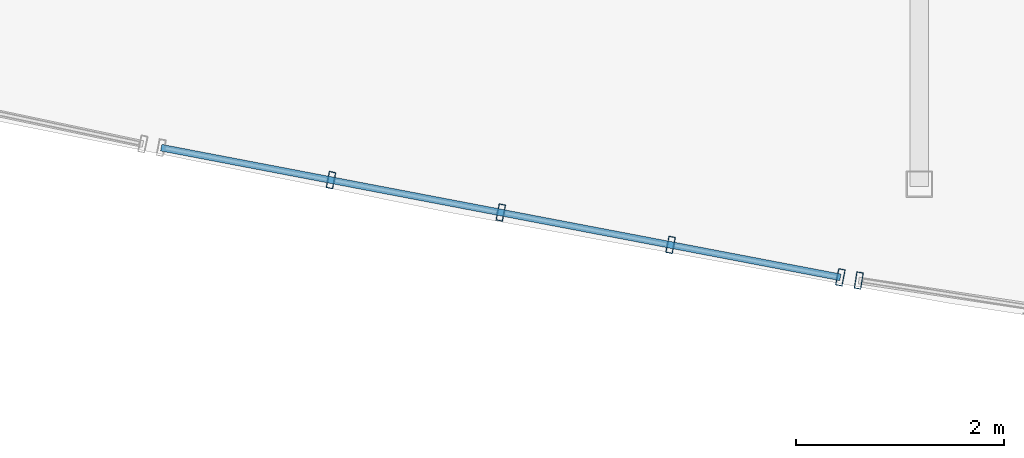
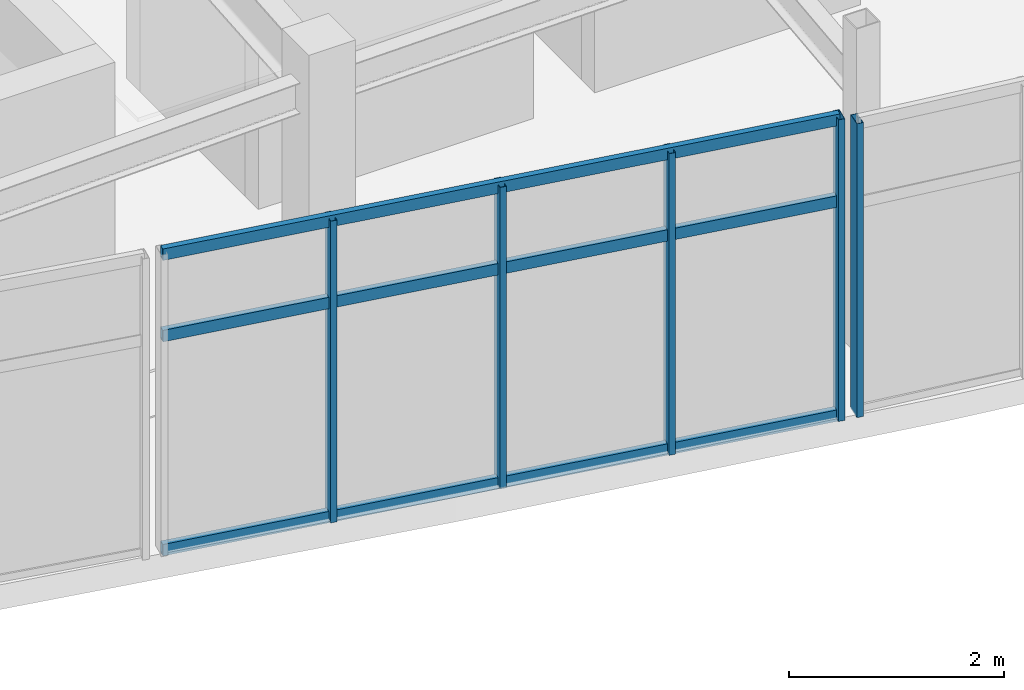
# One storey, part 15 of 65: 8 members, 2 elements without a shape of their own.
"""IFC4 building model written with IfcOpenShell, lengths in metres."""

from ifc_helpers import new_model, si_unit, direction, frame, origin, origin_2d, place, context, subcontext, project, spatial, hollow_rectangle, extrude, material, layer, layer_set, material_profile, profile_set, type_object, element, aggregate, save


model = new_model("IFC4")

# Units and contexts
model_context = context("Model", 3, precision=1e-05, world=origin(), true_north=direction((0.0, 1.0)))
body_context = subcontext(model_context, "Body", "Model", "MODEL_VIEW")
ifc_project = project(units=[si_unit("LENGTHUNIT", "METRE"), si_unit("AREAUNIT", "SQUARE_METRE"), si_unit("VOLUMEUNIT", "CUBIC_METRE"), si_unit("PLANEANGLEUNIT", "RADIAN"), si_unit("MASSUNIT", "GRAM", prefix="KILO")], contexts=[model_context])

# Site, building, storey
site_placement = place(None, origin())
site = spatial("IfcSite", under=ifc_project, at=site_placement, CompositionType="ELEMENT")
building_placement = place(site_placement, origin())
building = spatial("IfcBuilding", under=site, at=building_placement, Name="Chalmorin Arch Market", CompositionType="ELEMENT")
storey_placement = place(building_placement, frame((0.0, 0.0, 14.10009765625)))
storey = spatial("IfcBuildingStorey", under=building, at=storey_placement, Name="L03", CompositionType="ELEMENT", Elevation=14.10009765625)

# Curtain wall, members
ifc_material = material(Name="Aluminium 6063-T6", Category="aluminium")
ifc_layer_1 = layer(ifc_material, 0.159912109375)
ifc_layer_set_1 = layer_set([ifc_layer_1], Name="Aluminium 6063-T6")
curtain_wall_type_1 = type_object("IfcCurtainWallType", Name="CulinaryStudioCurtainWall-CW3-6660x3420", PredefinedType="NOTDEFINED", material=ifc_layer_set_1)
curtain_wall_1_placement = place(storey_placement, origin())
curtain_wall_1 = element("IfcCurtainWall", 1, at=curtain_wall_1_placement, inside=storey, type_object=curtain_wall_type_1, Name="CW-03-155", PredefinedType="NOTDEFINED")
ifc_material_profile_1 = material_profile(ifc_material, hollow_rectangle(XDim=0.06494140625, YDim=0.159912109375, WallThickness=0.00390625, at=origin_2d()), Name="ALU65X160X4")
ifc_profile_set_1 = profile_set([ifc_material_profile_1], Name="Aluminium 6063-T6")
member_type_1 = type_object("IfcMemberType", Name="CurtainWallMullion-65x160", PredefinedType="MULLION", material=ifc_profile_set_1)
member_1_placement = place(storey_placement, frame((56.444091796875, 69.769775390625, -0.02001953125), z_axis=(0.0, 0.0, 1.0), x_axis=(0.981627183448, -0.190808995377, 0.0)))
member_1 = element("IfcMember", 2, at=member_1_placement, type_object=member_type_1, Name="ML-155-02", PredefinedType="MULLION", context=body_context, shape_type="SweptSolid", body=[
    extrude(hollow_rectangle(XDim=0.06494140625, YDim=0.159912109375, WallThickness=0.00390625, at=origin_2d()), origin(), (0.0, 0.0, 1.0), 3.4208984375),
])
member_2_placement = place(storey_placement, frame((58.080078125, 69.45751953125, -0.02001953125), z_axis=(0.0, 0.0, 1.0), x_axis=(0.981627183448, -0.190808995377, 0.0)))
member_2 = element("IfcMember", 3, at=member_2_placement, type_object=member_type_1, Name="ML-155-03", PredefinedType="MULLION", context=body_context, shape_type="SweptSolid", body=[
    extrude(hollow_rectangle(XDim=0.06494140625, YDim=0.159912109375, WallThickness=0.00390625, at=origin_2d()), origin(), (0.0, 0.0, 1.0), 3.4208984375),
])
member_3_placement = place(storey_placement, frame((59.7158203125, 69.145263671875, -0.02001953125), z_axis=(0.0, 0.0, 1.0), x_axis=(0.981627183448, -0.190808995377, 0.0)))
member_3 = element("IfcMember", 4, at=member_3_placement, type_object=member_type_1, Name="ML-155-04", PredefinedType="MULLION", context=body_context, shape_type="SweptSolid", body=[
    extrude(hollow_rectangle(XDim=0.06494140625, YDim=0.159912109375, WallThickness=0.00390625, at=origin_2d()), origin(), (0.0, 0.0, 1.0), 3.4208984375),
])
member_4_placement = place(storey_placement, frame((61.3515625, 68.8330078125, -0.02001953125), z_axis=(0.0, 0.0, 1.0), x_axis=(0.981627183448, -0.190808995377, 0.0)))
member_4 = element("IfcMember", 5, at=member_4_placement, type_object=member_type_1, Name="ML-155-05", PredefinedType="MULLION", context=body_context, shape_type="SweptSolid", body=[
    extrude(hollow_rectangle(XDim=0.06494140625, YDim=0.159912109375, WallThickness=0.00390625, at=origin_2d()), origin(), (0.0, 0.0, 1.0), 3.4208984375),
])

# Curtain wall, member
ifc_layer_2 = layer(ifc_material, 0.159912109375)
ifc_layer_set_2 = layer_set([ifc_layer_2], Name="Aluminium 6063-T6")
curtain_wall_type_2 = type_object("IfcCurtainWallType", Name="CulinaryStudioCurtainWall-CW3-6620x3330", PredefinedType="NOTDEFINED", material=ifc_layer_set_2)
curtain_wall_2_placement = place(storey_placement, origin())
curtain_wall_2 = element("IfcCurtainWall", 6, at=curtain_wall_2_placement, inside=storey, type_object=curtain_wall_type_2, Name="CW-03-158", PredefinedType="NOTDEFINED")
member_5_placement = place(storey_placement, frame((61.529052734375, 68.802490234375, -0.02001953125), z_axis=(0.0, 0.0, 1.0), x_axis=(0.987688340595, -0.15643446504, 0.0)))
member_5 = element("IfcMember", 7, at=member_5_placement, type_object=member_type_1, Name="ML-158-01", PredefinedType="MULLION", context=body_context, shape_type="SweptSolid", body=[
    extrude(hollow_rectangle(XDim=0.06494140625, YDim=0.159912109375, WallThickness=0.00390625, at=origin_2d()), origin(), (0.0, 0.0, 1.0), 3.3330078125),
])
aggregate(curtain_wall_2, [member_5])

# Member
ifc_material_profile_2 = material_profile(ifc_material, hollow_rectangle(XDim=0.06494140625, YDim=0.1298828125, WallThickness=0.00390625, at=origin_2d()), Name="ALU65X130X4")
ifc_profile_set_2 = profile_set([ifc_material_profile_2], Name="Aluminium 6063-T6")
member_type_2 = type_object("IfcMemberType", Name="CurtainWallTransom-65x130", PredefinedType="USERDEFINED", material=ifc_profile_set_2)
member_6_placement = place(storey_placement, frame((54.808349609375, 70.08203125, 0.014892578125), z_axis=(0.982264065399, -0.187502815514, 0.0), x_axis=(0.187502815514, 0.982264065399, 0.0)))
member_6 = element("IfcMember", 8, at=member_6_placement, type_object=member_type_2, Name="TR-155-01", ObjectType="TRANSOM", PredefinedType="USERDEFINED", context=body_context, shape_type="SweptSolid", body=[
    extrude(hollow_rectangle(XDim=0.06494140625, YDim=0.1298828125, WallThickness=0.00390625, at=origin_2d()), origin(), (0.0, 0.0, 1.0), 6.661376953125),
])

member_7_placement = place(storey_placement, frame((54.808349609375, 70.08203125, 2.443115234375), z_axis=(0.982264065399, -0.187502815514, 0.0), x_axis=(0.187502815514, 0.982264065399, 0.0)))
member_7 = element("IfcMember", 9, at=member_7_placement, type_object=member_type_2, Name="TR-155-02", ObjectType="TRANSOM", PredefinedType="USERDEFINED", context=body_context, shape_type="SweptSolid", body=[
    extrude(hollow_rectangle(XDim=0.06494140625, YDim=0.1298828125, WallThickness=0.00390625, at=origin_2d()), origin(), (0.0, 0.0, 1.0), 6.661376953125),
])

member_8_placement = place(storey_placement, frame((54.808349609375, 70.08203125, 3.365966796875), z_axis=(0.982264065399, -0.187502815514, 0.0), x_axis=(0.187502815514, 0.982264065399, 0.0)))
member_8 = element("IfcMember", 10, at=member_8_placement, type_object=member_type_2, Name="TR-155-03", ObjectType="TRANSOM", PredefinedType="USERDEFINED", context=body_context, shape_type="SweptSolid", body=[
    extrude(hollow_rectangle(XDim=0.06494140625, YDim=0.1298828125, WallThickness=0.00390625, at=origin_2d()), origin(), (0.0, 0.0, 1.0), 6.661376953125),
])

aggregate(curtain_wall_1, [member_1, member_2, member_3, member_4, member_6, member_7, member_8])

save(model, "model.ifc")
